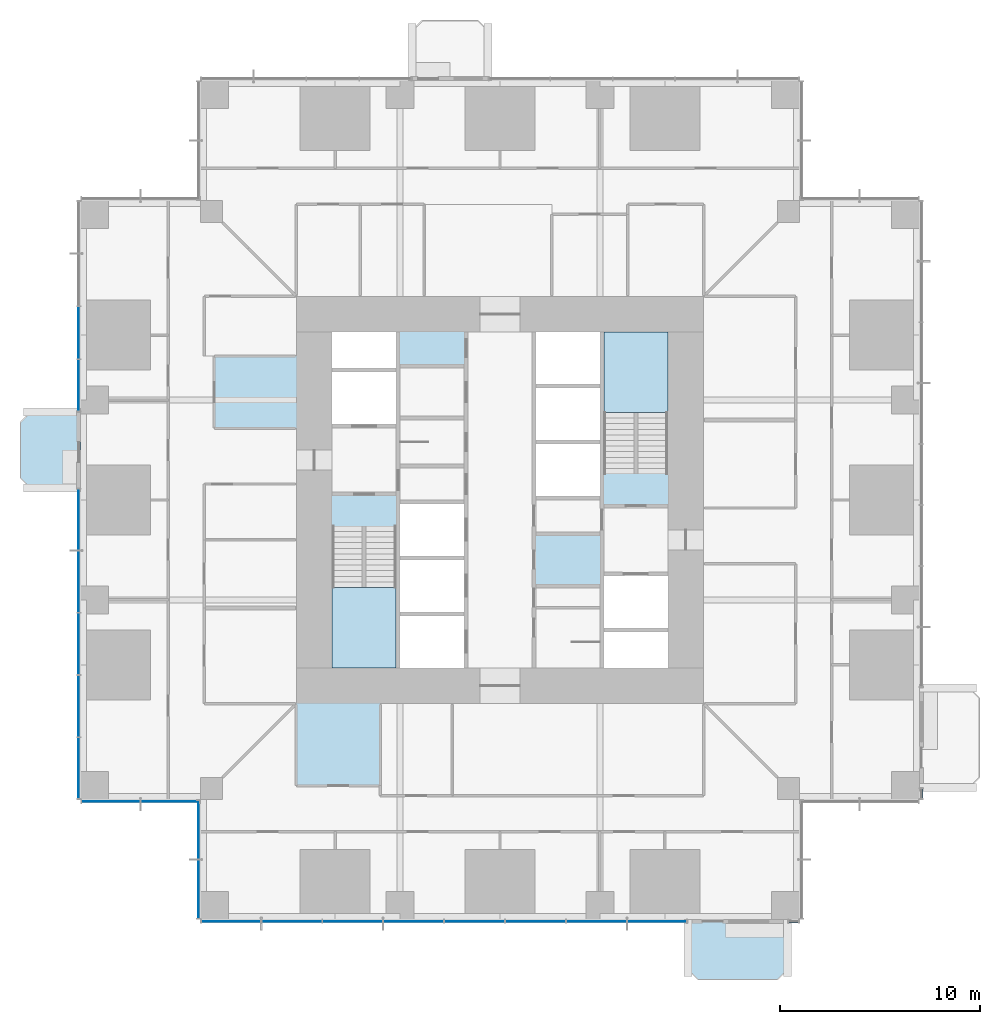
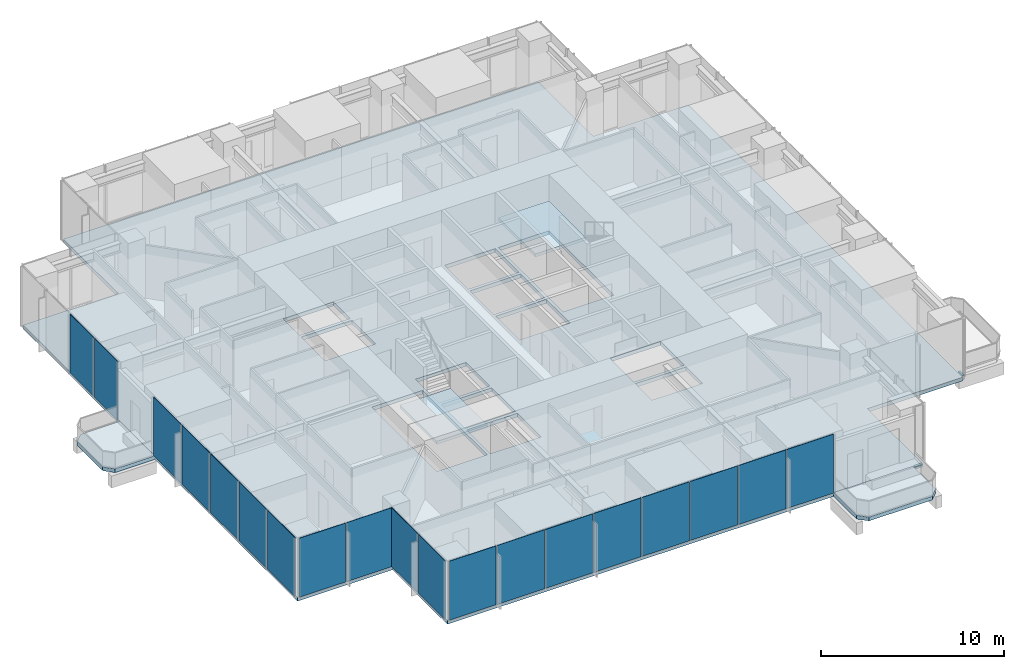
# One storey, part 7 of 17: 19 plates, 5 slabs, 2 members, 9 elements without a shape of their own.
"""IFC4 building model written with IfcOpenShell, lengths in metres."""

from ifc_helpers import new_model, si_unit, direction, frame, origin, origin_2d, place, context, subcontext, project, spatial, polyline, rectangle, outline, extrude, material, layer, layer_set, material_profile, profile_set, type_object, element, aggregate, save


model = new_model("IFC4")

# Units and contexts
model_context = context("Model", 3, precision=1e-05, world=origin(), true_north=direction((0.0, 1.0)))
body_context = subcontext(model_context, "Body", "Model", "MODEL_VIEW")
ifc_project = project(units=[si_unit("LENGTHUNIT", "METRE"), si_unit("AREAUNIT", "SQUARE_METRE"), si_unit("VOLUMEUNIT", "CUBIC_METRE"), si_unit("PLANEANGLEUNIT", "RADIAN"), si_unit("MASSUNIT", "GRAM", prefix="KILO")], contexts=[model_context])

# Site, building, storey
site_placement = place(None, origin())
site = spatial("IfcSite", under=ifc_project, at=site_placement, CompositionType="ELEMENT")
building_placement = place(site_placement, origin())
building = spatial("IfcBuilding", under=site, at=building_placement, Name="Svetlomir Tower", CompositionType="ELEMENT")
storey_placement = place(building_placement, frame((0.0, 0.0, 82.5)))
storey = spatial("IfcBuildingStorey", under=building, at=storey_placement, Name="L19", CompositionType="ELEMENT", Elevation=82.5)

# Curtain wall, member
ifc_material_1 = material(Name="Bronze anodised aluminium curtain wall", Category="aluminium")
curtain_wall_type = type_object("IfcCurtainWallType", Name="CURTAIN WALL CW1 TOWER OFFICE", PredefinedType="NOTDEFINED", material=ifc_material_1)
curtain_wall_1_placement = place(storey_placement, origin())
curtain_wall_1 = element("IfcCurtainWall", 1, at=curtain_wall_1_placement, inside=storey, type_object=curtain_wall_type, Name="Curtain wall CW1 L19", PredefinedType="NOTDEFINED")
ifc_material_2 = material(Name="Bronze anodised aluminium", Category="aluminium")
ifc_material_profile = material_profile(ifc_material_2, rectangle(XDim=0.139892578125, YDim=0.06494140625, at=origin_2d()), Name="AL 140x65")
ifc_profile_set = profile_set([ifc_material_profile], Name="Bronze anodised aluminium 6063-T6")
member_type = type_object("IfcMemberType", Name="CW1 TRANSOM 65x140", PredefinedType="USERDEFINED", material=ifc_profile_set)
member_1_placement = place(storey_placement, frame((35.465087890625, -0.10009765625, 0.032470703125), z_axis=(1.0, 0.0, 0.0), x_axis=(0.0, 1.0, 0.0)))
member_1 = element("IfcMember", 2, at=member_1_placement, type_object=member_type, Name="CW1 transom 1.1", ObjectType="TRANSOM", PredefinedType="USERDEFINED", context=body_context, shape_type="SweptSolid", body=[
    extrude(rectangle(XDim=0.139892578125, YDim=0.06494140625, at=origin_2d()), origin(), (0.0, 0.0, 1.0), 0.469970703125),
])
aggregate(curtain_wall_1, [member_1])

curtain_wall_2_placement = place(storey_placement, origin())
curtain_wall_2 = element("IfcCurtainWall", 3, at=curtain_wall_2_placement, inside=storey, type_object=curtain_wall_type, Name="Curtain wall CW1 L19", PredefinedType="NOTDEFINED")
member_2_placement = place(storey_placement, frame((42.10009765625, 6.06494140625, 0.032470703125), z_axis=(0.0, 1.0, 0.0), x_axis=(-1.0, 0.0, 0.0)))
member_2 = element("IfcMember", 4, at=member_2_placement, type_object=member_type, Name="CW1 transom 1.1", ObjectType="TRANSOM", PredefinedType="USERDEFINED", context=body_context, shape_type="SweptSolid", body=[
    extrude(rectangle(XDim=0.139892578125, YDim=0.06494140625, at=origin_2d()), origin(), (0.0, 0.0, 1.0), 0.469970703125),
])
aggregate(curtain_wall_2, [member_2])

# Slabs
ifc_material_3 = material(Name="Concrete C60/75", Category="concrete")
ifc_layer_1 = layer(ifc_material_3, 0.25)
ifc_layer_set_1 = layer_set([ifc_layer_1], Name="Concrete C60/75")
slab_type_1 = type_object("IfcSlabType", Name="BALCONY SLAB 250", PredefinedType="FLOOR", material=ifc_layer_set_1)
slab_1_placement = place(storey_placement, frame((0.0, 0.0, -0.25)))
element("IfcSlab", 5, at=slab_1_placement, inside=storey, type_object=slab_type_1, Name="L19 S planted balcony", PredefinedType="FLOOR", context=body_context, shape_type="SweptSolid", body=[
    extrude(outline(polyline([(30.39990234375, -2.5), (30.89990234375, -3.0), (34.89990234375, -3.0), (35.39990234375, -2.5), (35.39990234375, 0.0), (30.39990234375, 0.0), (30.39990234375, -2.5)])), origin(), (0.0, 0.0, 1.0), 0.25),
])
slab_2_placement = place(storey_placement, frame((0.0, 0.0, -0.25)))
element("IfcSlab", 6, at=slab_2_placement, inside=storey, type_object=slab_type_1, Name="L19 W planted balcony", PredefinedType="FLOOR", context=body_context, shape_type="SweptSolid", body=[
    extrude(outline(polyline([(-2.5, 21.60009765625), (0.0, 21.60009765625), (0.0, 25.39990234375), (-2.5, 25.39990234375), (-3.0, 24.89990234375), (-3.0, 22.10009765625), (-2.5, 21.60009765625)])), origin(), (0.0, 0.0, 1.0), 0.25),
])

# Curtain wall, plates
curtain_wall_3_placement = place(storey_placement, origin())
curtain_wall_3 = element("IfcCurtainWall", 7, at=curtain_wall_3_placement, inside=storey, type_object=curtain_wall_type, Name="Curtain wall CW1 L19", PredefinedType="NOTDEFINED")
ifc_material_4 = material(Name="Tinted double glazed unit", Category="glass")
ifc_layer_2 = layer(ifc_material_4, 0.031982421875)
ifc_layer_set_2 = layer_set([ifc_layer_2], Name="Tinted double glazed unit")
plate_type = type_object("IfcPlateType", Name="CW1 GLAZED PANEL 32", PredefinedType="CURTAIN_PANEL", material=ifc_layer_set_2)
plate_1_placement = place(storey_placement, frame((7.541259765625, -0.10009765625, 0.06494140625), z_axis=(0.0, 0.0, 1.0), x_axis=(1.0, 0.0, 0.0)))
plate_1 = element("IfcPlate", 8, at=plate_1_placement, type_object=plate_type, Name="CW1 panel 1.1", PredefinedType="CURTAIN_PANEL", context=body_context, shape_type="SweptSolid", body=[
    extrude(rectangle(XDim=2.952392578125, YDim=0.031982421875, at=origin_2d()), origin(), (0.0, 0.0, 1.0), 3.93505859375),
])
plate_2_placement = place(storey_placement, frame((10.574951171875, -0.10009765625, 0.06494140625), z_axis=(0.0, 0.0, 1.0), x_axis=(1.0, 0.0, 0.0)))
plate_2 = element("IfcPlate", 9, at=plate_2_placement, type_object=plate_type, Name="CW1 panel 2.1", PredefinedType="CURTAIN_PANEL", context=body_context, shape_type="SweptSolid", body=[
    extrude(rectangle(XDim=2.985107421875, YDim=0.031982421875, at=origin_2d()), origin(), (0.0, 0.0, 1.0), 3.93505859375),
])
plate_3_placement = place(storey_placement, frame((13.625, -0.10009765625, 0.06494140625), z_axis=(0.0, 0.0, 1.0), x_axis=(1.0, 0.0, 0.0)))
plate_3 = element("IfcPlate", 10, at=plate_3_placement, type_object=plate_type, Name="CW1 panel 3.1", PredefinedType="CURTAIN_PANEL", context=body_context, shape_type="SweptSolid", body=[
    extrude(rectangle(XDim=2.985107421875, YDim=0.031982421875, at=origin_2d()), origin(), (0.0, 0.0, 1.0), 3.93505859375),
])
plate_4_placement = place(storey_placement, frame((16.675048828125, -0.10009765625, 0.06494140625), z_axis=(0.0, 0.0, 1.0), x_axis=(1.0, 0.0, 0.0)))
plate_4 = element("IfcPlate", 11, at=plate_4_placement, type_object=plate_type, Name="CW1 panel 4.1", PredefinedType="CURTAIN_PANEL", context=body_context, shape_type="SweptSolid", body=[
    extrude(rectangle(XDim=2.985107421875, YDim=0.031982421875, at=origin_2d()), origin(), (0.0, 0.0, 1.0), 3.93505859375),
])
plate_5_placement = place(storey_placement, frame((19.72509765625, -0.10009765625, 0.06494140625), z_axis=(0.0, 0.0, 1.0), x_axis=(1.0, 0.0, 0.0)))
plate_5 = element("IfcPlate", 12, at=plate_5_placement, type_object=plate_type, Name="CW1 panel 5.1", PredefinedType="CURTAIN_PANEL", context=body_context, shape_type="SweptSolid", body=[
    extrude(rectangle(XDim=2.985107421875, YDim=0.031982421875, at=origin_2d()), origin(), (0.0, 0.0, 1.0), 3.93505859375),
])
plate_6_placement = place(storey_placement, frame((22.77490234375, -0.10009765625, 0.06494140625), z_axis=(0.0, 0.0, 1.0), x_axis=(1.0, 0.0, 0.0)))
plate_6 = element("IfcPlate", 13, at=plate_6_placement, type_object=plate_type, Name="CW1 panel 6.1", PredefinedType="CURTAIN_PANEL", context=body_context, shape_type="SweptSolid", body=[
    extrude(rectangle(XDim=2.985107421875, YDim=0.031982421875, at=origin_2d()), origin(), (0.0, 0.0, 1.0), 3.93505859375),
])
plate_7_placement = place(storey_placement, frame((25.824951171875, -0.10009765625, 0.06494140625), z_axis=(0.0, 0.0, 1.0), x_axis=(1.0, 0.0, 0.0)))
plate_7 = element("IfcPlate", 14, at=plate_7_placement, type_object=plate_type, Name="CW1 panel 7.1", PredefinedType="CURTAIN_PANEL", context=body_context, shape_type="SweptSolid", body=[
    extrude(rectangle(XDim=2.985107421875, YDim=0.031982421875, at=origin_2d()), origin(), (0.0, 0.0, 1.0), 3.93505859375),
])
plate_8_placement = place(storey_placement, frame((28.858642578125, -0.10009765625, 0.06494140625), z_axis=(0.0, 0.0, 1.0), x_axis=(1.0, 0.0, 0.0)))
plate_8 = element("IfcPlate", 15, at=plate_8_placement, type_object=plate_type, Name="CW1 panel 8.1", PredefinedType="CURTAIN_PANEL", context=body_context, shape_type="SweptSolid", body=[
    extrude(rectangle(XDim=2.952392578125, YDim=0.031982421875, at=origin_2d()), origin(), (0.0, 0.0, 1.0), 3.93505859375),
])
aggregate(curtain_wall_3, [plate_1, plate_2, plate_3, plate_4, plate_5, plate_6, plate_7, plate_8])

curtain_wall_4_placement = place(storey_placement, origin())
curtain_wall_4 = element("IfcCurtainWall", 16, at=curtain_wall_4_placement, inside=storey, type_object=curtain_wall_type, Name="Curtain wall CW1 L19", PredefinedType="NOTDEFINED")
plate_9_placement = place(storey_placement, frame((-0.10009765625, 29.375, 0.06494140625), z_axis=(0.0, 0.0, 1.0), x_axis=(0.0, -1.0, 0.0)))
plate_9 = element("IfcPlate", 17, at=plate_9_placement, type_object=plate_type, Name="CW1 panel 3.1", PredefinedType="CURTAIN_PANEL", context=body_context, shape_type="SweptSolid", body=[
    extrude(rectangle(XDim=2.5849609375, YDim=0.031982421875, at=origin_2d()), origin(), (0.0, 0.0, 1.0), 3.93505859375),
])
plate_10_placement = place(storey_placement, frame((-0.10009765625, 26.7412109375, 0.06494140625), z_axis=(0.0, 0.0, 1.0), x_axis=(0.0, -1.0, 0.0)))
plate_10 = element("IfcPlate", 18, at=plate_10_placement, type_object=plate_type, Name="CW1 panel 4.1", PredefinedType="CURTAIN_PANEL", context=body_context, shape_type="SweptSolid", body=[
    extrude(rectangle(XDim=2.552490234375, YDim=0.031982421875, at=origin_2d()), origin(), (0.0, 0.0, 1.0), 3.93505859375),
])
aggregate(curtain_wall_4, [plate_9, plate_10])

curtain_wall_5_placement = place(storey_placement, origin())
curtain_wall_5 = element("IfcCurtainWall", 19, at=curtain_wall_5_placement, inside=storey, type_object=curtain_wall_type, Name="Curtain wall CW1 L19", PredefinedType="NOTDEFINED")
plate_11_placement = place(storey_placement, frame((-0.10009765625, 20.023681640625, 0.06494140625), z_axis=(0.0, 0.0, 1.0), x_axis=(0.0, -1.0, 0.0)))
plate_11 = element("IfcPlate", 20, at=plate_11_placement, type_object=plate_type, Name="CW1 panel 1.1", PredefinedType="CURTAIN_PANEL", context=body_context, shape_type="SweptSolid", body=[
    extrude(rectangle(XDim=3.0224609375, YDim=0.031982421875, at=origin_2d()), origin(), (0.0, 0.0, 1.0), 3.93505859375),
])
plate_12_placement = place(storey_placement, frame((-0.10009765625, 16.919921875, 0.06494140625), z_axis=(0.0, 0.0, 1.0), x_axis=(0.0, -1.0, 0.0)))
plate_12 = element("IfcPlate", 21, at=plate_12_placement, type_object=plate_type, Name="CW1 panel 2.1", PredefinedType="CURTAIN_PANEL", context=body_context, shape_type="SweptSolid", body=[
    extrude(rectangle(XDim=3.054931640625, YDim=0.031982421875, at=origin_2d()), origin(), (0.0, 0.0, 1.0), 3.93505859375),
])
plate_13_placement = place(storey_placement, frame((-0.10009765625, 13.800048828125, 0.06494140625), z_axis=(0.0, 0.0, 1.0), x_axis=(0.0, -1.0, 0.0)))
plate_13 = element("IfcPlate", 22, at=plate_13_placement, type_object=plate_type, Name="CW1 panel 3.1", PredefinedType="CURTAIN_PANEL", context=body_context, shape_type="SweptSolid", body=[
    extrude(rectangle(XDim=3.054931640625, YDim=0.031982421875, at=origin_2d()), origin(), (0.0, 0.0, 1.0), 3.93505859375),
])
plate_14_placement = place(storey_placement, frame((-0.10009765625, 10.679931640625, 0.06494140625), z_axis=(0.0, 0.0, 1.0), x_axis=(0.0, -1.0, 0.0)))
plate_14 = element("IfcPlate", 23, at=plate_14_placement, type_object=plate_type, Name="CW1 panel 4.1", PredefinedType="CURTAIN_PANEL", context=body_context, shape_type="SweptSolid", body=[
    extrude(rectangle(XDim=3.054931640625, YDim=0.031982421875, at=origin_2d()), origin(), (0.0, 0.0, 1.0), 3.93505859375),
])
plate_15_placement = place(storey_placement, frame((-0.10009765625, 7.576171875, 0.06494140625), z_axis=(0.0, 0.0, 1.0), x_axis=(0.0, -1.0, 0.0)))
plate_15 = element("IfcPlate", 24, at=plate_15_placement, type_object=plate_type, Name="CW1 panel 5.1", PredefinedType="CURTAIN_PANEL", context=body_context, shape_type="SweptSolid", body=[
    extrude(rectangle(XDim=3.0224609375, YDim=0.031982421875, at=origin_2d()), origin(), (0.0, 0.0, 1.0), 3.93505859375),
])
aggregate(curtain_wall_5, [plate_11, plate_12, plate_13, plate_14, plate_15])

curtain_wall_6_placement = place(storey_placement, origin())
curtain_wall_6 = element("IfcCurtainWall", 25, at=curtain_wall_6_placement, inside=storey, type_object=curtain_wall_type, Name="Curtain wall CW1 L19", PredefinedType="NOTDEFINED")
plate_16_placement = place(storey_placement, frame((1.516357421875, 5.89990234375, 0.06494140625), z_axis=(0.0, 0.0, 1.0), x_axis=(1.0, 0.0, 0.0)))
plate_16 = element("IfcPlate", 26, at=plate_16_placement, type_object=plate_type, Name="CW1 panel 1.1", PredefinedType="CURTAIN_PANEL", context=body_context, shape_type="SweptSolid", body=[
    extrude(rectangle(XDim=2.902587890625, YDim=0.031982421875, at=origin_2d()), origin(), (0.0, 0.0, 1.0), 3.93505859375),
])
plate_17_placement = place(storey_placement, frame((4.483642578125, 5.89990234375, 0.06494140625), z_axis=(0.0, 0.0, 1.0), x_axis=(1.0, 0.0, 0.0)))
plate_17 = element("IfcPlate", 27, at=plate_17_placement, type_object=plate_type, Name="CW1 panel 2.1", PredefinedType="CURTAIN_PANEL", context=body_context, shape_type="SweptSolid", body=[
    extrude(rectangle(XDim=2.902587890625, YDim=0.031982421875, at=origin_2d()), origin(), (0.0, 0.0, 1.0), 3.93505859375),
])
aggregate(curtain_wall_6, [plate_16, plate_17])

curtain_wall_7_placement = place(storey_placement, origin())
curtain_wall_7 = element("IfcCurtainWall", 28, at=curtain_wall_7_placement, inside=storey, type_object=curtain_wall_type, Name="Curtain wall CW1 L19", PredefinedType="NOTDEFINED")
plate_18_placement = place(storey_placement, frame((5.89990234375, 4.483642578125, 0.06494140625), z_axis=(0.0, 0.0, 1.0), x_axis=(0.0, -1.0, 0.0)))
plate_18 = element("IfcPlate", 29, at=plate_18_placement, type_object=plate_type, Name="CW1 panel 1.1", PredefinedType="CURTAIN_PANEL", context=body_context, shape_type="SweptSolid", body=[
    extrude(rectangle(XDim=2.902587890625, YDim=0.031982421875, at=origin_2d()), origin(), (0.0, 0.0, 1.0), 3.93505859375),
])
plate_19_placement = place(storey_placement, frame((5.89990234375, 1.516357421875, 0.06494140625), z_axis=(0.0, 0.0, 1.0), x_axis=(0.0, -1.0, 0.0)))
plate_19 = element("IfcPlate", 30, at=plate_19_placement, type_object=plate_type, Name="CW1 panel 2.1", PredefinedType="CURTAIN_PANEL", context=body_context, shape_type="SweptSolid", body=[
    extrude(rectangle(XDim=2.902587890625, YDim=0.031982421875, at=origin_2d()), origin(), (0.0, 0.0, 1.0), 3.93505859375),
])
aggregate(curtain_wall_7, [plate_18, plate_19])

# Slab
ifc_material_5 = material(Name="Concrete C60/75", Category="concrete")
ifc_layer_3 = layer(ifc_material_5, 0.25)
ifc_layer_set_3 = layer_set([ifc_layer_3], Name="Concrete C60/75")
slab_type_2 = type_object("IfcSlabType", Name="FLOOR SLAB 250", PredefinedType="FLOOR", material=ifc_layer_set_3)
slab_3_placement = place(storey_placement, frame((0.0, 0.0, -0.25)))
element("IfcSlab", 31, at=slab_3_placement, inside=storey, type_object=slab_type_2, Name="L19 floor slab", PredefinedType="FLOOR", context=body_context, shape_type="SweptSolid", body=[
    extrude(outline(polyline([(6.0, 0.0), (36.0, 0.0), (36.0, 6.0), (42.0, 6.0), (42.0, 36.0), (36.0, 36.0), (36.0, 42.0), (6.0, 42.0), (6.0, 36.0), (0.0, 36.0), (0.0, 6.0), (6.0, 6.0), (6.0, 0.0)]), holes=[polyline([(12.60009765625, 24.800048828125), (15.800048828125, 24.800048828125), (15.800048828125, 27.39990234375), (12.60009765625, 27.39990234375), (12.60009765625, 24.800048828125)]), polyline([(26.199951171875, 14.60009765625), (29.39990234375, 14.60009765625), (29.39990234375, 17.199951171875), (26.199951171875, 17.199951171875), (26.199951171875, 14.60009765625)]), polyline([(16.0, 12.60009765625), (19.199951171875, 12.60009765625), (19.199951171875, 15.199951171875), (16.0, 15.199951171875), (16.0, 12.60009765625)]), polyline([(16.0, 15.39990234375), (19.199951171875, 15.39990234375), (19.199951171875, 18.0), (16.0, 18.0), (16.0, 15.39990234375)]), polyline([(16.0, 18.199951171875), (19.199951171875, 18.199951171875), (19.199951171875, 20.800048828125), (16.0, 20.800048828125), (16.0, 18.199951171875)]), polyline([(22.800048828125, 21.199951171875), (26.0, 21.199951171875), (26.0, 23.800048828125), (22.800048828125, 23.800048828125), (22.800048828125, 21.199951171875)]), polyline([(22.800048828125, 24.0), (26.0, 24.0), (26.0, 26.60009765625), (22.800048828125, 26.60009765625), (22.800048828125, 24.0)]), polyline([(22.800048828125, 26.800048828125), (26.0, 26.800048828125), (26.0, 29.39990234375), (22.800048828125, 29.39990234375), (22.800048828125, 26.800048828125)]), polyline([(12.60009765625, 27.60009765625), (15.800048828125, 27.60009765625), (15.800048828125, 29.39990234375), (12.60009765625, 29.39990234375), (12.60009765625, 27.60009765625)]), polyline([(26.199951171875, 12.60009765625), (29.39990234375, 12.60009765625), (29.39990234375, 14.39990234375), (26.199951171875, 14.39990234375), (26.199951171875, 12.60009765625)]), polyline([(12.60009765625, 12.60009765625), (15.800048828125, 12.60009765625), (15.800048828125, 19.679931640625), (12.60009765625, 19.679931640625), (12.60009765625, 12.60009765625)]), polyline([(26.199951171875, 22.320068359375), (29.39990234375, 22.320068359375), (29.39990234375, 29.39990234375), (26.199951171875, 29.39990234375), (26.199951171875, 22.320068359375)])]), origin(), (0.0, 0.0, 1.0), 0.25),
])

# Stair, slab
ifc_material_6 = material(Name="Concrete C60/75", Category="concrete")
stair_type = type_object("IfcStairType", Name="EXIT STAIR 3200 RISE 4000", PredefinedType="HALF_TURN_STAIR", material=ifc_material_6)
stair_1_placement = place(storey_placement, origin())
stair_1 = element("IfcStair", 32, at=stair_1_placement, inside=storey, type_object=stair_type, Name="Stair S1 L19 to L20", PredefinedType="HALF_TURN_STAIR")
ifc_material_7 = material(Name="Concrete C60/75", Category="concrete")
ifc_layer_4 = layer(ifc_material_7, 0.199951171875)
ifc_layer_set_4 = layer_set([ifc_layer_4], Name="Concrete C60/75")
slab_type_3 = type_object("IfcSlabType", Name="STAIR LANDING 200", PredefinedType="LANDING", material=ifc_layer_set_4)
slab_4_placement = place(storey_placement, frame((0.0, 0.0, 1.800048828125)))
slab_4 = element("IfcSlab", 33, at=slab_4_placement, type_object=slab_type_3, Name="S1 landing 1", PredefinedType="LANDING", context=body_context, shape_type="SweptSolid", body=[
    extrude(outline(polyline([(12.60009765625, 12.60009765625), (15.800048828125, 12.60009765625), (15.800048828125, 16.6201171875), (12.60009765625, 16.6201171875), (12.60009765625, 12.60009765625)])), origin(), (0.0, 0.0, 1.0), 0.199951171875),
])
aggregate(stair_1, [slab_4])

stair_2_placement = place(storey_placement, origin())
stair_2 = element("IfcStair", 34, at=stair_2_placement, inside=storey, type_object=stair_type, Name="Stair S2 L19 to L20", PredefinedType="HALF_TURN_STAIR")
slab_5_placement = place(storey_placement, frame((0.0, 0.0, 1.800048828125)))
slab_5 = element("IfcSlab", 35, at=slab_5_placement, type_object=slab_type_3, Name="S2 landing 1", PredefinedType="LANDING", context=body_context, shape_type="SweptSolid", body=[
    extrude(outline(polyline([(26.199951171875, 25.3798828125), (29.39990234375, 25.3798828125), (29.39990234375, 29.39990234375), (26.199951171875, 29.39990234375), (26.199951171875, 25.3798828125)])), origin(), (0.0, 0.0, 1.0), 0.199951171875),
])
aggregate(stair_2, [slab_5])

save(model, "model.ifc")
